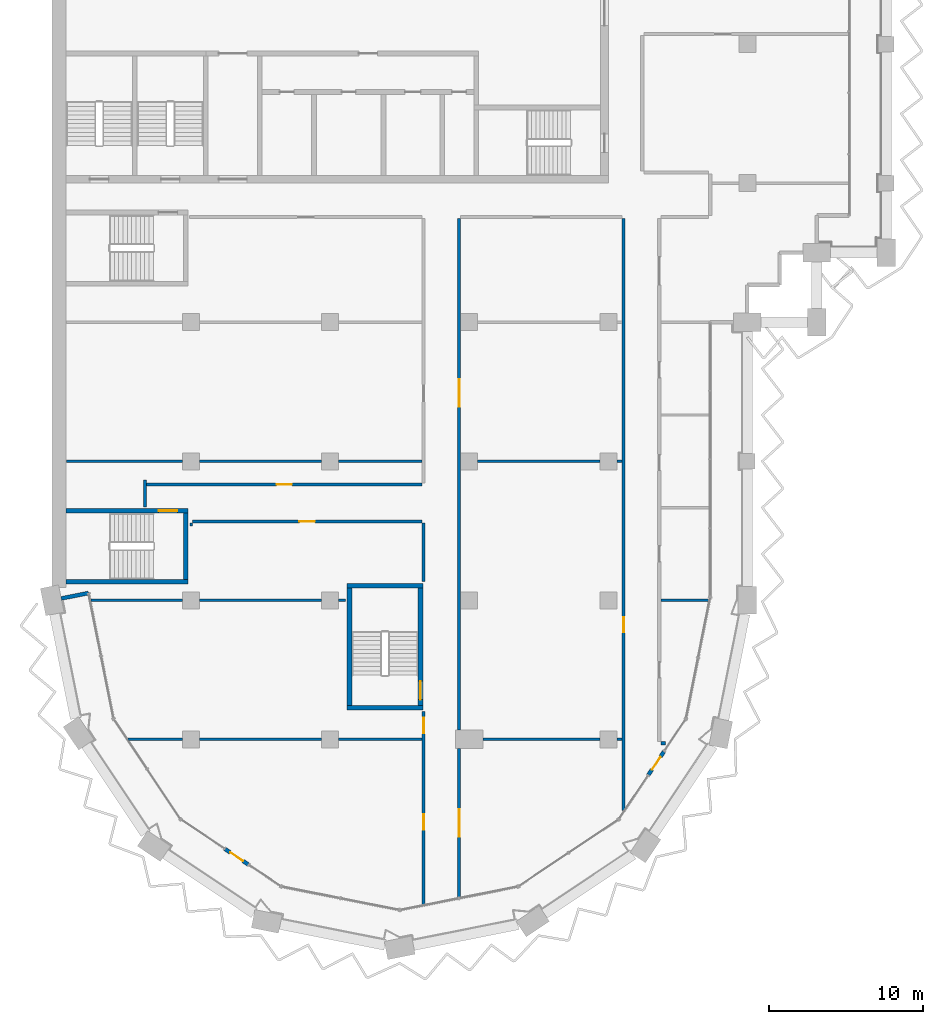
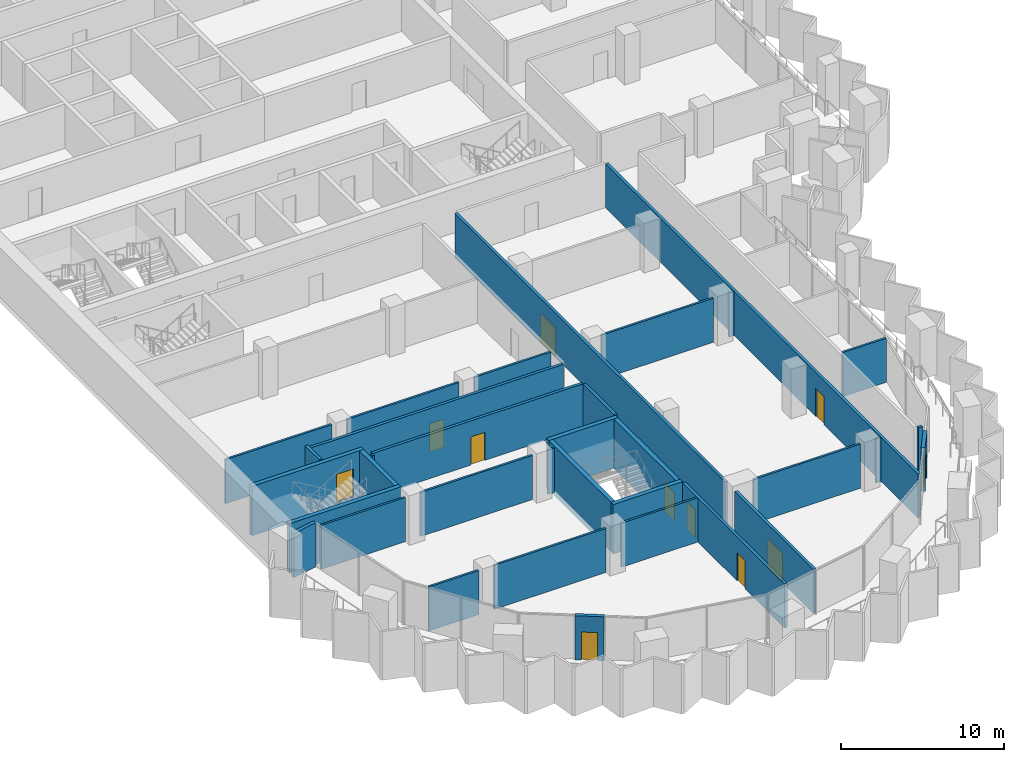
# One storey, part 7 of 17: 34 walls, 11 doors, 11 openings.
"""IFC4 building model written with IfcOpenShell, lengths in metres."""

from ifc_helpers import new_model, si_unit, direction, frame, frame_2d, origin, place, context, subcontext, project, spatial, rectangle, extrude, material, layer, layer_set, type_object, element, fill, save


model = new_model("IFC4")

# Units and contexts
model_context = context("Model", 3, precision=1e-05, world=origin(), true_north=direction((0.0, 1.0)))
body_context = subcontext(model_context, "Body", "Model", "MODEL_VIEW")
ifc_project = project(units=[si_unit("LENGTHUNIT", "METRE"), si_unit("AREAUNIT", "SQUARE_METRE"), si_unit("VOLUMEUNIT", "CUBIC_METRE"), si_unit("PLANEANGLEUNIT", "RADIAN"), si_unit("MASSUNIT", "GRAM", prefix="KILO")], contexts=[model_context])

# Site, building, storey
site_placement = place(None, origin())
site = spatial("IfcSite", under=ifc_project, at=site_placement, CompositionType="ELEMENT")
building_placement = place(site_placement, origin())
building = spatial("IfcBuilding", under=site, at=building_placement, Name="Hunhe Ridgeline Campus", CompositionType="ELEMENT")
storey_placement = place(building_placement, frame((0.0, 0.0, 193.89990234375)))
storey = spatial("IfcBuildingStorey", under=building, at=storey_placement, Name="L49", CompositionType="ELEMENT", Elevation=193.89990234375)

# Walls
ifc_material_1 = material(Name="Concrete C30", Category="concrete")
ifc_layer_1 = layer(ifc_material_1, 0.25)
ifc_layer_set_1 = layer_set([ifc_layer_1], Name="Corner return wall 250 Concrete C30")
wall_type_1 = type_object("IfcWallType", Name="Corner return wall 250 Concrete C30", PredefinedType="SOLIDWALL", material=ifc_layer_set_1)
wall_1_placement = place(storey_placement, frame((0.58837890625, 36.117919921875, 0.0), z_axis=(0.0, 0.0, 1.0), x_axis=(0.980840518545, 0.194812415363, 0.0)))
element("IfcWall", 1, at=wall_1_placement, inside=storey, type_object=wall_type_1, Name="Corner return wall 1", PredefinedType="SOLIDWALL", context=body_context, shape_type="SweptSolid", body=[
    extrude(rectangle(XDim=1.80078125, YDim=0.25, at=frame_2d((0.900390625, 0.0))), origin(), (0.0, 0.0, 1.0), 3.300048828125),
])
ifc_material_2 = material(Name="Gypsum board partition")
ifc_layer_2 = layer(ifc_material_2, 0.199951171875)
ifc_layer_set_2 = layer_set([ifc_layer_2], Name="Corridor partition 200 gypsum board on steel studs")
wall_type_2 = type_object("IfcWallType", Name="Corridor partition 200 gypsum board on steel studs", PredefinedType="PARTITIONING", material=ifc_layer_set_2)
wall_2_placement = place(storey_placement, frame((39.39990234375, 26.748046875, 0.0), z_axis=(0.0, 0.0, 1.0), x_axis=(1.0, 0.0, 0.0)))
element("IfcWall", 2, at=wall_2_placement, inside=storey, type_object=wall_type_2, Name="F-L49-wall-001", PredefinedType="PARTITIONING", context=body_context, shape_type="SweptSolid", body=[
    extrude(rectangle(XDim=0.30224609375, YDim=0.199951171875, at=frame_2d((0.151123046875, 0.0))), origin(), (0.0, 0.0, 1.0), 3.300048828125),
])

# Wall, opening, door
wall_3_placement = place(storey_placement, frame((23.949951171875, 41.10009765625, 0.0), z_axis=(0.0, 0.0, 1.0), x_axis=(-1.0, 0.0, 0.0)))
wall_3 = element("IfcWall", 3, at=wall_3_placement, inside=storey, type_object=wall_type_2, Name="F-L49-wall-011", PredefinedType="PARTITIONING", context=body_context, shape_type="SweptSolid", body=[
    extrude(rectangle(XDim=14.875, YDim=0.199951171875, at=frame_2d((7.4375, 0.0))), origin(), (0.0, 0.0, 1.0), 3.300048828125),
])
opening_1_placement = place(wall_3_placement, frame((6.9375, 0.0, 0.0)))
opening_1 = element("IfcOpeningElement", 4, at=opening_1_placement, cuts=wall_3, Name="Opening RD1-007", PredefinedType="OPENING", context=body_context, shape_type="SweptSolid", body=[
    extrude(rectangle(XDim=1.0, YDim=2.10009765625, at=frame_2d((0.5, 1.050048828125))), frame((0.0, 0.10009765625, 0.0), z_axis=(0.0, -1.0, 0.0), x_axis=(1.0, 0.0, 0.0)), (0.0, 0.0, 1.0), 0.199951171875),
])
ifc_material_3 = material(Name="Timber door leaf", Category="wood")
door_type_1 = type_object("IfcDoorType", Name="Single fire door 1000x2100 timber FD60", OperationType="NOTDEFINED", PredefinedType="DOOR", material=ifc_material_3)
door_1_placement = place(opening_1_placement, origin())
door_1 = element("IfcDoor", 5, at=door_1_placement, inside=storey, type_object=door_type_1, Name="F-L49-door-007", OperationType="SINGLE_SWING_LEFT", OverallHeight=2.10009765625, OverallWidth=1.0, PredefinedType="DOOR", context=body_context, shape_type="SweptSolid", body=[
    extrude(rectangle(XDim=1.0, YDim=2.10009765625, at=frame_2d((0.5, 1.050048828125))), frame((0.0, 0.02490234375, 0.0), z_axis=(0.0, -1.0, 0.0), x_axis=(1.0, 0.0, 0.0)), (0.0, 0.0, 1.0), 0.050048828125),
])
fill(opening_1, door_1)

wall_4_placement = place(storey_placement, frame((6.10009765625, 43.5, 0.0), z_axis=(0.0, 0.0, 1.0), x_axis=(1.0, 0.0, 0.0)))
wall_4 = element("IfcWall", 6, at=wall_4_placement, inside=storey, type_object=wall_type_2, Name="F-L49-wall-013", PredefinedType="PARTITIONING", context=body_context, shape_type="SweptSolid", body=[
    extrude(rectangle(XDim=17.849853515625, YDim=0.199951171875, at=frame_2d((8.9248046875, 0.0))), origin(), (0.0, 0.0, 1.0), 3.300048828125),
])
opening_2_placement = place(wall_4_placement, frame((8.425048828125, 0.0, 0.0)))
opening_2 = element("IfcOpeningElement", 7, at=opening_2_placement, cuts=wall_4, Name="Opening RD1-008", PredefinedType="OPENING", context=body_context, shape_type="SweptSolid", body=[
    extrude(rectangle(XDim=1.0, YDim=2.10009765625, at=frame_2d((0.5, 1.050048828125))), frame((0.0, 0.10009765625, 0.0), z_axis=(0.0, -1.0, 0.0), x_axis=(1.0, 0.0, 0.0)), (0.0, 0.0, 1.0), 0.199951171875),
])
door_2_placement = place(opening_2_placement, origin())
door_2 = element("IfcDoor", 8, at=door_2_placement, inside=storey, type_object=door_type_1, Name="F-L49-door-008", OperationType="SINGLE_SWING_LEFT", OverallHeight=2.10009765625, OverallWidth=1.0, PredefinedType="DOOR", context=body_context, shape_type="SweptSolid", body=[
    extrude(rectangle(XDim=1.0, YDim=2.10009765625, at=frame_2d((0.5, 1.050048828125))), frame((0.0, 0.02490234375, 0.0), z_axis=(0.0, -1.0, 0.0), x_axis=(1.0, 0.0, 0.0)), (0.0, 0.0, 1.0), 0.050048828125),
])
fill(opening_2, door_2)

# Wall
wall_5_placement = place(storey_placement, frame((6.0, 42.053955078125, 0.0), z_axis=(0.0, 0.0, 1.0), x_axis=(0.0, 1.0, 0.0)))
element("IfcWall", 9, at=wall_5_placement, inside=storey, type_object=wall_type_2, Name="F-L49-wall-036", PredefinedType="PARTITIONING", context=body_context, shape_type="SweptSolid", body=[
    extrude(rectangle(XDim=1.74609375, YDim=0.199951171875, at=frame_2d((0.873046875, 0.0))), origin(), (0.0, 0.0, 1.0), 3.300048828125),
])

# Wall, openings, doors
wall_6_placement = place(storey_placement, frame((24.050048828125, 16.3115234375, 0.0), z_axis=(0.0, 0.0, 1.0), x_axis=(0.0, 1.0, 0.0)))
wall_6 = element("IfcWall", 10, at=wall_6_placement, inside=storey, type_object=wall_type_2, Name="F-L49-wall-038", PredefinedType="PARTITIONING", context=body_context, shape_type="SweptSolid", body=[
    extrude(rectangle(XDim=12.484375, YDim=0.199951171875, at=frame_2d((6.2421875, 0.0))), origin(), (0.0, 0.0, 1.0), 3.300048828125),
])
opening_3_placement = place(wall_6_placement, frame((4.8505859375, 0.0, 0.0)))
opening_3 = element("IfcOpeningElement", 11, at=opening_3_placement, cuts=wall_6, Name="Opening RD1-002", PredefinedType="OPENING", context=body_context, shape_type="SweptSolid", body=[
    extrude(rectangle(XDim=1.0, YDim=2.10009765625, at=frame_2d((0.5, 1.050048828125))), frame((0.0, 0.10009765625, 0.0), z_axis=(0.0, -1.0, 0.0), x_axis=(1.0, 0.0, 0.0)), (0.0, 0.0, 1.0), 0.199951171875),
])
opening_4_placement = place(wall_6_placement, frame((11.0927734375, 0.0, 0.0)))
opening_4 = element("IfcOpeningElement", 12, at=opening_4_placement, cuts=wall_6, Name="Opening RD1-003", PredefinedType="OPENING", context=body_context, shape_type="SweptSolid", body=[
    extrude(rectangle(XDim=1.0, YDim=2.10009765625, at=frame_2d((0.5, 1.050048828125))), frame((0.0, 0.10009765625, 0.0), z_axis=(0.0, -1.0, 0.0), x_axis=(1.0, 0.0, 0.0)), (0.0, 0.0, 1.0), 0.199951171875),
])
door_3_placement = place(opening_3_placement, origin())
door_3 = element("IfcDoor", 13, at=door_3_placement, inside=storey, type_object=door_type_1, Name="F-L49-door-002", OperationType="SINGLE_SWING_RIGHT", OverallHeight=2.10009765625, OverallWidth=1.0, PredefinedType="DOOR", context=body_context, shape_type="SweptSolid", body=[
    extrude(rectangle(XDim=1.0, YDim=2.10009765625, at=frame_2d((0.5, 1.050048828125))), frame((0.0, 0.02490234375, 0.0), z_axis=(0.0, -1.0, 0.0), x_axis=(1.0, 0.0, 0.0)), (0.0, 0.0, 1.0), 0.050048828125),
])
fill(opening_3, door_3)
door_4_placement = place(opening_4_placement, origin())
door_4 = element("IfcDoor", 14, at=door_4_placement, inside=storey, type_object=door_type_1, Name="F-L49-door-003", OperationType="SINGLE_SWING_RIGHT", OverallHeight=2.10009765625, OverallWidth=1.0, PredefinedType="DOOR", context=body_context, shape_type="SweptSolid", body=[
    extrude(rectangle(XDim=1.0, YDim=2.10009765625, at=frame_2d((0.5, 1.050048828125))), frame((0.0, 0.02490234375, 0.0), z_axis=(0.0, -1.0, 0.0), x_axis=(1.0, 0.0, 0.0)), (0.0, 0.0, 1.0), 0.050048828125),
])
fill(opening_4, door_4)

# Wall
wall_7_placement = place(storey_placement, frame((24.050048828125, 37.2041015625, 0.0), z_axis=(0.0, 0.0, 1.0), x_axis=(0.0, 1.0, 0.0)))
element("IfcWall", 15, at=wall_7_placement, inside=storey, type_object=wall_type_2, Name="F-L49-wall-039", PredefinedType="PARTITIONING", context=body_context, shape_type="SweptSolid", body=[
    extrude(rectangle(XDim=3.7958984375, YDim=0.199951171875, at=frame_2d((1.89794921875, 0.0))), origin(), (0.0, 0.0, 1.0), 3.300048828125),
])

# Wall, opening, door
wall_8_placement = place(storey_placement, frame((26.35009765625, 26.39990234375, 0.0), z_axis=(0.0, 0.0, 1.0), x_axis=(0.0, -1.0, 0.0)))
wall_8 = element("IfcWall", 16, at=wall_8_placement, inside=storey, type_object=wall_type_2, Name="F-L49-wall-041", PredefinedType="PARTITIONING", context=body_context, shape_type="SweptSolid", body=[
    extrude(rectangle(XDim=9.631103515625, YDim=0.199951171875, at=frame_2d((4.8154296875, 0.0))), origin(), (0.0, 0.0, 1.0), 3.300048828125),
])
opening_5_placement = place(wall_8_placement, frame((3.91552734375, 0.0, 0.0)))
opening_5 = element("IfcOpeningElement", 17, at=opening_5_placement, cuts=wall_8, Name="Opening RD2-001", PredefinedType="OPENING", context=body_context, shape_type="SweptSolid", body=[
    extrude(rectangle(XDim=1.800048828125, YDim=2.10009765625, at=frame_2d((0.89990234375, 1.050048828125))), frame((0.0, 0.10009765625, 0.0), z_axis=(0.0, -1.0, 0.0), x_axis=(1.0, 0.0, 0.0)), (0.0, 0.0, 1.0), 0.199951171875),
])
door_type_2 = type_object("IfcDoorType", Name="Double fire door 1800x2100 timber FD60", OperationType="DOUBLE_DOOR_SINGLE_SWING", PredefinedType="DOOR", material=ifc_material_3)
door_5_placement = place(opening_5_placement, origin())
door_5 = element("IfcDoor", 18, at=door_5_placement, inside=storey, type_object=door_type_2, Name="F-L49-door-001", OperationType="DOUBLE_DOOR_SINGLE_SWING", OverallHeight=2.10009765625, OverallWidth=1.800048828125, PredefinedType="DOOR", context=body_context, shape_type="SweptSolid", body=[
    extrude(rectangle(XDim=1.800048828125, YDim=2.10009765625, at=frame_2d((0.89990234375, 1.050048828125))), frame((0.0, 0.02490234375, 0.0), z_axis=(0.0, -1.0, 0.0), x_axis=(1.0, 0.0, 0.0)), (0.0, 0.0, 1.0), 0.050048828125),
])
fill(opening_5, door_5)

wall_9_placement = place(storey_placement, frame((26.35009765625, 60.699951171875, 0.0), z_axis=(0.0, 0.0, 1.0), x_axis=(0.0, -1.0, 0.0)))
wall_9 = element("IfcWall", 19, at=wall_9_placement, inside=storey, type_object=wall_type_2, Name="F-L49-wall-042", PredefinedType="PARTITIONING", context=body_context, shape_type="SweptSolid", body=[
    extrude(rectangle(XDim=33.099853515625, YDim=0.199951171875, at=frame_2d((16.5498046875, 0.0))), origin(), (0.0, 0.0, 1.0), 3.300048828125),
])
opening_6_placement = place(wall_9_placement, frame((10.384033203125, 0.0, 0.0)))
opening_6 = element("IfcOpeningElement", 20, at=opening_6_placement, cuts=wall_9, Name="Opening RD2-011", PredefinedType="OPENING", context=body_context, shape_type="SweptSolid", body=[
    extrude(rectangle(XDim=1.800048828125, YDim=2.10009765625, at=frame_2d((0.89990234375, 1.050048828125))), frame((0.0, 0.10009765625, 0.0), z_axis=(0.0, -1.0, 0.0), x_axis=(1.0, 0.0, 0.0)), (0.0, 0.0, 1.0), 0.199951171875),
])
door_6_placement = place(opening_6_placement, origin())
door_6 = element("IfcDoor", 21, at=door_6_placement, inside=storey, type_object=door_type_2, Name="F-L49-door-011", OperationType="DOUBLE_DOOR_SINGLE_SWING", OverallHeight=2.10009765625, OverallWidth=1.800048828125, PredefinedType="DOOR", context=body_context, shape_type="SweptSolid", body=[
    extrude(rectangle(XDim=1.800048828125, YDim=2.10009765625, at=frame_2d((0.89990234375, 1.050048828125))), frame((0.0, 0.02490234375, 0.0), z_axis=(0.0, -1.0, 0.0), x_axis=(1.0, 0.0, 0.0)), (0.0, 0.0, 1.0), 0.050048828125),
])
fill(opening_6, door_6)

wall_10_placement = place(storey_placement, frame((37.0, 22.39892578125, 0.0), z_axis=(0.0, 0.0, 1.0), x_axis=(0.0, 1.0, 0.0)))
wall_10 = element("IfcWall", 22, at=wall_10_placement, inside=storey, type_object=wall_type_2, Name="F-L49-wall-043", PredefinedType="PARTITIONING", context=body_context, shape_type="SweptSolid", body=[
    extrude(rectangle(XDim=38.301025390625, YDim=0.199951171875, at=frame_2d((19.150390625, 0.0))), origin(), (0.0, 0.0, 1.0), 3.300048828125),
])
opening_7_placement = place(wall_10_placement, frame((11.51806640625, 0.0, 0.0)))
opening_7 = element("IfcOpeningElement", 23, at=opening_7_placement, cuts=wall_10, Name="Opening RD1-005", PredefinedType="OPENING", context=body_context, shape_type="SweptSolid", body=[
    extrude(rectangle(XDim=1.0, YDim=2.10009765625, at=frame_2d((0.5, 1.050048828125))), frame((0.0, 0.10009765625, 0.0), z_axis=(0.0, -1.0, 0.0), x_axis=(1.0, 0.0, 0.0)), (0.0, 0.0, 1.0), 0.199951171875),
])
door_7_placement = place(opening_7_placement, origin())
door_7 = element("IfcDoor", 24, at=door_7_placement, inside=storey, type_object=door_type_1, Name="F-L49-door-005", OperationType="SINGLE_SWING_LEFT", OverallHeight=2.10009765625, OverallWidth=1.0, PredefinedType="DOOR", context=body_context, shape_type="SweptSolid", body=[
    extrude(rectangle(XDim=1.0, YDim=2.10009765625, at=frame_2d((0.5, 1.050048828125))), frame((0.0, 0.02490234375, 0.0), z_axis=(0.0, -1.0, 0.0), x_axis=(1.0, 0.0, 0.0)), (0.0, 0.0, 1.0), 0.050048828125),
])
fill(opening_7, door_7)

ifc_layer_3 = layer(ifc_material_1, 0.25)
ifc_layer_set_3 = layer_set([ifc_layer_3], Name="Loggia door pier wall 250 Concrete C30")
wall_type_3 = type_object("IfcWallType", Name="Loggia door pier wall 250 Concrete C30", PredefinedType="SOLIDWALL", material=ifc_layer_set_3)
wall_11_placement = place(storey_placement, frame((11.19970703125, 19.897705078125, 0.0), z_axis=(0.0, 0.0, 1.0), x_axis=(0.83146554274, -0.555576323502, 0.0)))
wall_11 = element("IfcWall", 25, at=wall_11_placement, inside=storey, type_object=wall_type_3, Name="Loggia door pier 1", PredefinedType="SOLIDWALL", context=body_context, shape_type="SweptSolid", body=[
    extrude(rectangle(XDim=1.800048828125, YDim=0.25, at=frame_2d((0.89990234375, 0.0))), origin(), (0.0, 0.0, 1.0), 3.300048828125),
])
opening_8_placement = place(wall_11_placement, frame((0.39990234375, 0.0, 0.0)))
opening_8 = element("IfcOpeningElement", 26, at=opening_8_placement, cuts=wall_11, Name="Opening BD402", PredefinedType="OPENING", context=body_context, shape_type="SweptSolid", body=[
    extrude(rectangle(XDim=1.0, YDim=2.10009765625, at=frame_2d((0.5, 1.050048828125))), frame((0.0, 0.125, 0.0), z_axis=(0.0, -1.0, 0.0), x_axis=(1.0, 0.0, 0.0)), (0.0, 0.0, 1.0), 0.25),
])
ifc_material_4 = material(Name="Aluminium 6063", Category="aluminium")
door_type_3 = type_object("IfcDoorType", Name="Loggia glazed door 1000x2100", OperationType="NOTDEFINED", PredefinedType="DOOR", material=ifc_material_4)
door_8_placement = place(opening_8_placement, frame((1.0, 0.0, 0.0), z_axis=(0.0, 0.0, 1.0), x_axis=(-1.0, 0.0, 0.0)))
door_8 = element("IfcDoor", 27, at=door_8_placement, inside=storey, type_object=door_type_3, Name="Loggia door BD402", OperationType="SINGLE_SWING_LEFT", OverallHeight=2.10009765625, OverallWidth=1.0, PredefinedType="DOOR", context=body_context, shape_type="SweptSolid", body=[
    extrude(rectangle(XDim=1.0, YDim=2.10009765625, at=frame_2d((0.5, 1.050048828125))), frame((0.0, 0.02490234375, 0.0), z_axis=(0.0, -1.0, 0.0), x_axis=(1.0, 0.0, 0.0)), (0.0, 0.0, 1.0), 0.050048828125),
])
fill(opening_8, door_8)

wall_12_placement = place(storey_placement, frame((38.602294921875, 24.69970703125, 0.0), z_axis=(0.0, 0.0, 1.0), x_axis=(0.555576323502, 0.83146554274, 0.0)))
wall_12 = element("IfcWall", 28, at=wall_12_placement, inside=storey, type_object=wall_type_3, Name="Loggia door pier 2", PredefinedType="SOLIDWALL", context=body_context, shape_type="SweptSolid", body=[
    extrude(rectangle(XDim=1.800048828125, YDim=0.25, at=frame_2d((0.89990234375, 0.0))), origin(), (0.0, 0.0, 1.0), 3.300048828125),
])
opening_9_placement = place(wall_12_placement, frame((0.39990234375, 0.0, 0.0)))
opening_9 = element("IfcOpeningElement", 29, at=opening_9_placement, cuts=wall_12, Name="Opening BD404", PredefinedType="OPENING", context=body_context, shape_type="SweptSolid", body=[
    extrude(rectangle(XDim=1.0, YDim=2.10009765625, at=frame_2d((0.5, 1.050048828125))), frame((0.0, 0.125, 0.0), z_axis=(0.0, -1.0, 0.0), x_axis=(1.0, 0.0, 0.0)), (0.0, 0.0, 1.0), 0.25),
])
door_9_placement = place(opening_9_placement, frame((1.0, 0.0, 0.0), z_axis=(0.0, 0.0, 1.0), x_axis=(-1.0, 0.0, 0.0)))
door_9 = element("IfcDoor", 30, at=door_9_placement, inside=storey, type_object=door_type_3, Name="Loggia door BD404", OperationType="SINGLE_SWING_LEFT", OverallHeight=2.10009765625, OverallWidth=1.0, PredefinedType="DOOR", context=body_context, shape_type="SweptSolid", body=[
    extrude(rectangle(XDim=1.0, YDim=2.10009765625, at=frame_2d((0.5, 1.050048828125))), frame((0.0, 0.02490234375, 0.0), z_axis=(0.0, -1.0, 0.0), x_axis=(1.0, 0.0, 0.0)), (0.0, 0.0, 1.0), 0.050048828125),
])
fill(opening_9, door_9)

# Walls
ifc_layer_4 = layer(ifc_material_2, 0.14990234375)
ifc_layer_set_4 = layer_set([ifc_layer_4], Name="Room partition 150 gypsum board on steel studs")
wall_type_4 = type_object("IfcWallType", Name="Room partition 150 gypsum board on steel studs", PredefinedType="PARTITIONING", material=ifc_layer_set_4)
wall_13_placement = place(storey_placement, frame((4.925537109375, 27.0, 0.0), z_axis=(0.0, 0.0, 1.0), x_axis=(1.0, 0.0, 0.0)))
element("IfcWall", 31, at=wall_13_placement, inside=storey, type_object=wall_type_4, Name="F-L49-wall-002", PredefinedType="PARTITIONING", context=body_context, shape_type="SweptSolid", body=[
    extrude(rectangle(XDim=3.5244140625, YDim=0.14990234375, at=frame_2d((1.76220703125, 0.0))), origin(), (0.0, 0.0, 1.0), 3.300048828125),
])
wall_14_placement = place(storey_placement, frame((9.550048828125, 27.0, 0.0), z_axis=(0.0, 0.0, 1.0), x_axis=(1.0, 0.0, 0.0)))
element("IfcWall", 32, at=wall_14_placement, inside=storey, type_object=wall_type_4, Name="F-L49-wall-003", PredefinedType="PARTITIONING", context=body_context, shape_type="SweptSolid", body=[
    extrude(rectangle(XDim=7.89990234375, YDim=0.14990234375, at=frame_2d((3.949951171875, 0.0))), origin(), (0.0, 0.0, 1.0), 3.300048828125),
])
wall_15_placement = place(storey_placement, frame((18.550048828125, 27.0, 0.0), z_axis=(0.0, 0.0, 1.0), x_axis=(1.0, 0.0, 0.0)))
element("IfcWall", 33, at=wall_15_placement, inside=storey, type_object=wall_type_4, Name="F-L49-wall-004", PredefinedType="PARTITIONING", context=body_context, shape_type="SweptSolid", body=[
    extrude(rectangle(XDim=5.39990234375, YDim=0.14990234375, at=frame_2d((2.699951171875, 0.0))), origin(), (0.0, 0.0, 1.0), 3.300048828125),
])
wall_16_placement = place(storey_placement, frame((27.89990234375, 27.0, 0.0), z_axis=(0.0, 0.0, 1.0), x_axis=(1.0, 0.0, 0.0)))
element("IfcWall", 34, at=wall_16_placement, inside=storey, type_object=wall_type_4, Name="F-L49-wall-005", PredefinedType="PARTITIONING", context=body_context, shape_type="SweptSolid", body=[
    extrude(rectangle(XDim=7.550048828125, YDim=0.14990234375, at=frame_2d((3.77490234375, 0.0))), origin(), (0.0, 0.0, 1.0), 3.300048828125),
])
wall_17_placement = place(storey_placement, frame((36.550048828125, 27.0, 0.0), z_axis=(0.0, 0.0, 1.0), x_axis=(1.0, 0.0, 0.0)))
element("IfcWall", 35, at=wall_17_placement, inside=storey, type_object=wall_type_4, Name="F-L49-wall-006", PredefinedType="PARTITIONING", context=body_context, shape_type="SweptSolid", body=[
    extrude(rectangle(XDim=0.349853515625, YDim=0.14990234375, at=frame_2d((0.1748046875, 0.0))), origin(), (0.0, 0.0, 1.0), 3.300048828125),
])
wall_18_placement = place(storey_placement, frame((2.503173828125, 36.0, 0.0), z_axis=(0.0, 0.0, 1.0), x_axis=(1.0, 0.0, 0.0)))
element("IfcWall", 36, at=wall_18_placement, inside=storey, type_object=wall_type_4, Name="F-L49-wall-007", PredefinedType="PARTITIONING", context=body_context, shape_type="SweptSolid", body=[
    extrude(rectangle(XDim=5.94677734375, YDim=0.14990234375, at=frame_2d((2.973388671875, 0.0))), origin(), (0.0, 0.0, 1.0), 3.300048828125),
])
wall_19_placement = place(storey_placement, frame((9.550048828125, 36.0, 0.0), z_axis=(0.0, 0.0, 1.0), x_axis=(1.0, 0.0, 0.0)))
element("IfcWall", 37, at=wall_19_placement, inside=storey, type_object=wall_type_4, Name="F-L49-wall-008", PredefinedType="PARTITIONING", context=body_context, shape_type="SweptSolid", body=[
    extrude(rectangle(XDim=7.89990234375, YDim=0.14990234375, at=frame_2d((3.949951171875, 0.0))), origin(), (0.0, 0.0, 1.0), 3.300048828125),
])
wall_20_placement = place(storey_placement, frame((18.550048828125, 36.0, 0.0), z_axis=(0.0, 0.0, 1.0), x_axis=(1.0, 0.0, 0.0)))
element("IfcWall", 38, at=wall_20_placement, inside=storey, type_object=wall_type_4, Name="F-L49-wall-009", PredefinedType="PARTITIONING", context=body_context, shape_type="SweptSolid", body=[
    extrude(rectangle(XDim=0.446044921875, YDim=0.14990234375, at=frame_2d((0.22314453125, 0.0))), origin(), (0.0, 0.0, 1.0), 3.300048828125),
])
wall_21_placement = place(storey_placement, frame((39.39990234375, 36.0, 0.0), z_axis=(0.0, 0.0, 1.0), x_axis=(1.0, 0.0, 0.0)))
element("IfcWall", 39, at=wall_21_placement, inside=storey, type_object=wall_type_4, Name="F-L49-wall-010", PredefinedType="PARTITIONING", context=body_context, shape_type="SweptSolid", body=[
    extrude(rectangle(XDim=3.096923828125, YDim=0.14990234375, at=frame_2d((1.54833984375, 0.0))), origin(), (0.0, 0.0, 1.0), 3.300048828125),
])
wall_22_placement = place(storey_placement, frame((0.919921875, 45.0, 0.0), z_axis=(0.0, 0.0, 1.0), x_axis=(1.0, 0.0, 0.0)))
element("IfcWall", 40, at=wall_22_placement, inside=storey, type_object=wall_type_4, Name="F-L49-wall-014", PredefinedType="PARTITIONING", context=body_context, shape_type="SweptSolid", body=[
    extrude(rectangle(XDim=7.530029296875, YDim=0.14990234375, at=frame_2d((3.76513671875, 0.0))), origin(), (0.0, 0.0, 1.0), 3.300048828125),
])
wall_23_placement = place(storey_placement, frame((9.550048828125, 45.0, 0.0), z_axis=(0.0, 0.0, 1.0), x_axis=(1.0, 0.0, 0.0)))
element("IfcWall", 41, at=wall_23_placement, inside=storey, type_object=wall_type_4, Name="F-L49-wall-015", PredefinedType="PARTITIONING", context=body_context, shape_type="SweptSolid", body=[
    extrude(rectangle(XDim=7.89990234375, YDim=0.14990234375, at=frame_2d((3.949951171875, 0.0))), origin(), (0.0, 0.0, 1.0), 3.300048828125),
])
wall_24_placement = place(storey_placement, frame((18.550048828125, 45.0, 0.0), z_axis=(0.0, 0.0, 1.0), x_axis=(1.0, 0.0, 0.0)))
element("IfcWall", 42, at=wall_24_placement, inside=storey, type_object=wall_type_4, Name="F-L49-wall-016", PredefinedType="PARTITIONING", context=body_context, shape_type="SweptSolid", body=[
    extrude(rectangle(XDim=5.39990234375, YDim=0.14990234375, at=frame_2d((2.699951171875, 0.0))), origin(), (0.0, 0.0, 1.0), 3.300048828125),
])
wall_25_placement = place(storey_placement, frame((27.550048828125, 45.0, 0.0), z_axis=(0.0, 0.0, 1.0), x_axis=(1.0, 0.0, 0.0)))
element("IfcWall", 43, at=wall_25_placement, inside=storey, type_object=wall_type_4, Name="F-L49-wall-017", PredefinedType="PARTITIONING", context=body_context, shape_type="SweptSolid", body=[
    extrude(rectangle(XDim=7.89990234375, YDim=0.14990234375, at=frame_2d((3.949951171875, 0.0))), origin(), (0.0, 0.0, 1.0), 3.300048828125),
])
wall_26_placement = place(storey_placement, frame((36.550048828125, 45.0, 0.0), z_axis=(0.0, 0.0, 1.0), x_axis=(1.0, 0.0, 0.0)))
element("IfcWall", 44, at=wall_26_placement, inside=storey, type_object=wall_type_4, Name="F-L49-wall-018", PredefinedType="PARTITIONING", context=body_context, shape_type="SweptSolid", body=[
    extrude(rectangle(XDim=0.349853515625, YDim=0.14990234375, at=frame_2d((0.1748046875, 0.0))), origin(), (0.0, 0.0, 1.0), 3.300048828125),
])
wall_27_placement = place(storey_placement, frame((9.0, 41.0, 0.0), z_axis=(0.0, 0.0, 1.0), x_axis=(0.0, -1.0, 0.0)))
element("IfcWall", 45, at=wall_27_placement, inside=storey, type_object=wall_type_4, Name="F-L49-wall-037", PredefinedType="PARTITIONING", context=body_context, shape_type="SweptSolid", body=[
    extrude(rectangle(XDim=0.199951171875, YDim=0.14990234375, at=frame_2d((0.10009765625, 0.0))), origin(), (0.0, 0.0, 1.0), 3.300048828125),
])
ifc_material_5 = material(Name="Concrete C60", Category="concrete")
ifc_layer_5 = layer(ifc_material_5, 0.300048828125)
ifc_layer_set_5 = layer_set([ifc_layer_5], Name="Stair wall 300 reinforced concrete C60")
wall_type_5 = type_object("IfcWallType", Name="Stair wall 300 reinforced concrete C60", PredefinedType="SOLIDWALL", material=ifc_layer_set_5)
for number, where, z_axis, x_axis, name in (
    (46, (19.10009765625, 29.050048828125, -0.39990234375), (0.0, 0.0, 1.0), (1.0, 0.0, 0.0), "L49 core wall 1"),
    (47, (19.10009765625, 36.949951171875, -0.39990234375), (0.0, 0.0, 1.0), (1.0, 0.0, 0.0), "L49 core wall 2"),
):
    element("IfcWall", number, at=place(storey_placement, frame(where, z_axis=z_axis, x_axis=x_axis)), inside=storey, type_object=wall_type_5, Name=name, PredefinedType="SOLIDWALL", context=body_context, shape_type="SweptSolid", body=[
        extrude(rectangle(XDim=4.89990234375, YDim=0.300048828125, at=frame_2d((2.449951171875, 0.0))), origin(), (0.0, 0.0, 1.0), 3.699951171875),
    ])
wall_28_placement = place(storey_placement, frame((0.89990234375, 37.199951171875, -0.39990234375), z_axis=(0.0, 0.0, 1.0), x_axis=(1.0, 0.0, 0.0)))
element("IfcWall", 48, at=wall_28_placement, inside=storey, type_object=wall_type_5, Name="L49 core wall 3", PredefinedType="SOLIDWALL", context=body_context, shape_type="SweptSolid", body=[
    extrude(rectangle(XDim=7.900146484375, YDim=0.300048828125, at=frame_2d((3.9501953125, 0.0))), origin(), (0.0, 0.0, 1.0), 3.699951171875),
])

# Wall, opening, door
wall_29_placement = place(storey_placement, frame((0.89990234375, 41.800048828125, -0.39990234375), z_axis=(0.0, 0.0, 1.0), x_axis=(1.0, 0.0, 0.0)))
wall_29 = element("IfcWall", 49, at=wall_29_placement, inside=storey, type_object=wall_type_5, Name="L49 core wall 4", PredefinedType="SOLIDWALL", context=body_context, shape_type="SweptSolid", body=[
    extrude(rectangle(XDim=7.900146484375, YDim=0.300048828125, at=frame_2d((3.9501953125, 0.0))), origin(), (0.0, 0.0, 1.0), 3.699951171875),
])
opening_10_placement = place(wall_29_placement, frame((6.0, 0.0, 0.39990234375)))
opening_10 = element("IfcOpeningElement", 50, at=opening_10_placement, cuts=wall_29, Name="Opening CD21", PredefinedType="OPENING", context=body_context, shape_type="SweptSolid", body=[
    extrude(rectangle(XDim=1.199951171875, YDim=2.10009765625, at=frame_2d((0.60009765625, 1.050048828125))), frame((0.0, 0.14990234375, 0.0), z_axis=(0.0, -1.0, 0.0), x_axis=(1.0, 0.0, 0.0)), (0.0, 0.0, 1.0), 0.300048828125),
])
ifc_material_6 = material(Name="Hollow metal fire door leaf")
door_type_4 = type_object("IfcDoorType", Name="Stair door 1200x2100 FD60", OperationType="SINGLE_SWING_LEFT", PredefinedType="DOOR", material=ifc_material_6)
door_10_placement = place(opening_10_placement, origin())
door_10 = element("IfcDoor", 51, at=door_10_placement, inside=storey, type_object=door_type_4, Name="L49 door W1", OperationType="SINGLE_SWING_LEFT", OverallHeight=2.10009765625, OverallWidth=1.199951171875, PredefinedType="DOOR", context=body_context, shape_type="SweptSolid", body=[
    extrude(rectangle(XDim=1.199951171875, YDim=2.10009765625, at=frame_2d((0.60009765625, 1.050048828125))), frame((0.0, 0.02490234375, 0.0), z_axis=(0.0, -1.0, 0.0), x_axis=(1.0, 0.0, 0.0)), (0.0, 0.0, 1.0), 0.050048828125),
])
fill(opening_10, door_10)

# Walls
wall_30_placement = place(storey_placement, frame((8.64990234375, 37.35009765625, -0.39990234375), z_axis=(0.0, 0.0, 1.0), x_axis=(0.0, 1.0, 0.0)))
element("IfcWall", 52, at=wall_30_placement, inside=storey, type_object=wall_type_5, Name="L49 core wall 29", PredefinedType="SOLIDWALL", context=body_context, shape_type="SweptSolid", body=[
    extrude(rectangle(XDim=4.2998046875, YDim=0.300048828125, at=frame_2d((2.14990234375, 0.0))), origin(), (0.0, 0.0, 1.0), 3.699951171875),
])
wall_31_placement = place(storey_placement, frame((19.25, 29.199951171875, -0.39990234375), z_axis=(0.0, 0.0, 1.0), x_axis=(0.0, 1.0, 0.0)))
element("IfcWall", 53, at=wall_31_placement, inside=storey, type_object=wall_type_5, Name="L49 core wall 40", PredefinedType="SOLIDWALL", context=body_context, shape_type="SweptSolid", body=[
    extrude(rectangle(XDim=7.60009765625, YDim=0.300048828125, at=frame_2d((3.800048828125, 0.0))), origin(), (0.0, 0.0, 1.0), 3.699951171875),
])

# Wall, opening, door
wall_32_placement = place(storey_placement, frame((23.85009765625, 29.199951171875, -0.39990234375), z_axis=(0.0, 0.0, 1.0), x_axis=(0.0, 1.0, 0.0)))
wall_32 = element("IfcWall", 54, at=wall_32_placement, inside=storey, type_object=wall_type_5, Name="L49 core wall 45", PredefinedType="SOLIDWALL", context=body_context, shape_type="SweptSolid", body=[
    extrude(rectangle(XDim=7.60009765625, YDim=0.300048828125, at=frame_2d((3.800048828125, 0.0))), origin(), (0.0, 0.0, 1.0), 3.699951171875),
])
opening_11_placement = place(wall_32_placement, frame((0.375, 0.0, 0.39990234375)))
opening_11 = element("IfcOpeningElement", 55, at=opening_11_placement, cuts=wall_32, Name="Opening CD23", PredefinedType="OPENING", context=body_context, shape_type="SweptSolid", body=[
    extrude(rectangle(XDim=1.199951171875, YDim=2.10009765625, at=frame_2d((0.60009765625, 1.050048828125))), frame((0.0, 0.14990234375, 0.0), z_axis=(0.0, -1.0, 0.0), x_axis=(1.0, 0.0, 0.0)), (0.0, 0.0, 1.0), 0.300048828125),
])
door_11_placement = place(opening_11_placement, frame((1.199951171875, 0.0, 0.0), z_axis=(0.0, 0.0, 1.0), x_axis=(-1.0, 0.0, 0.0)))
door_11 = element("IfcDoor", 56, at=door_11_placement, inside=storey, type_object=door_type_4, Name="L49 door W3", OperationType="SINGLE_SWING_RIGHT", OverallHeight=2.10009765625, OverallWidth=1.199951171875, PredefinedType="DOOR", context=body_context, shape_type="SweptSolid", body=[
    extrude(rectangle(XDim=1.199951171875, YDim=2.10009765625, at=frame_2d((0.60009765625, 1.050048828125))), frame((0.0, 0.02490234375, 0.0), z_axis=(0.0, -1.0, 0.0), x_axis=(1.0, 0.0, 0.0)), (0.0, 0.0, 1.0), 0.050048828125),
])
fill(opening_11, door_11)

save(model, "model.ifc")
